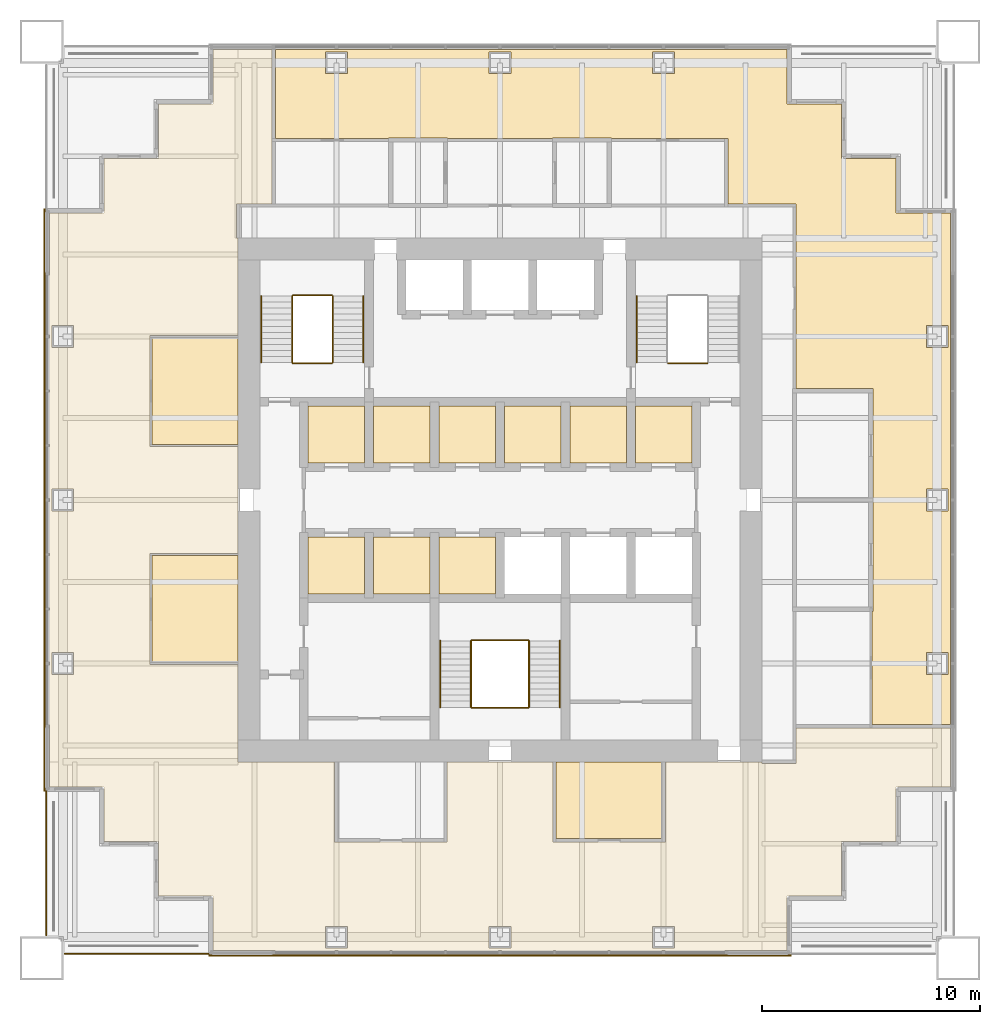
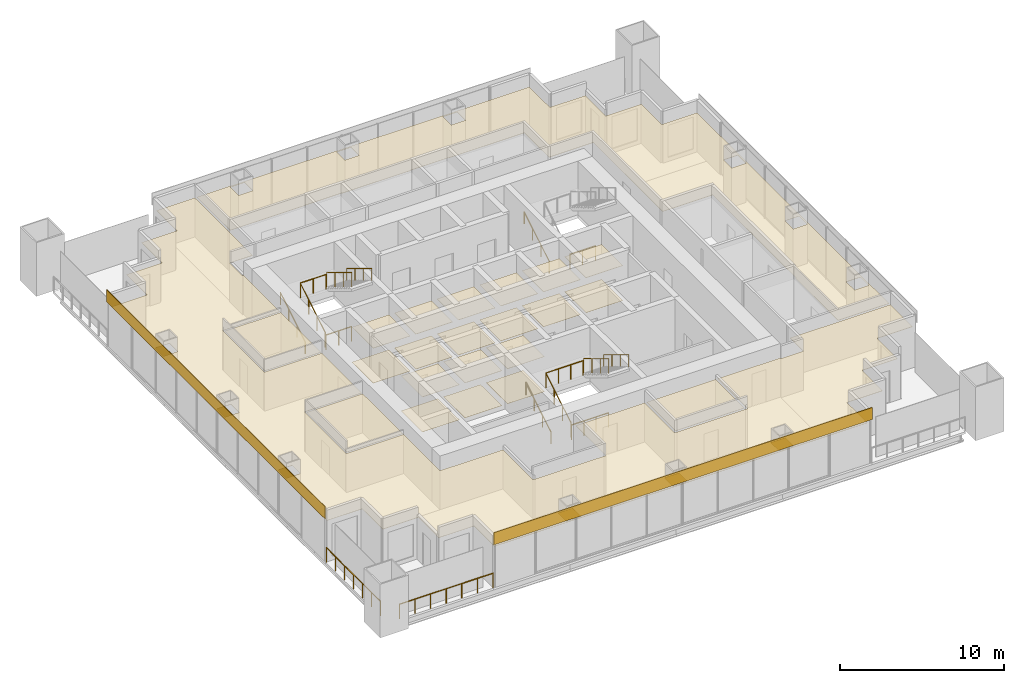
# One storey, part 13 of 14: 25 coverings, 16 railings.
"""IFC4 building model written with IfcOpenShell, lengths in metres."""

from ifc_helpers import new_model, si_unit, direction, frame, origin, origin_2d, place, context, subcontext, project, spatial, polyline, rectangle, circle, outline, extrude, material, layer, layer_set, type_object, element, save


model = new_model("IFC4")

# Units and contexts
model_context = context("Model", 3, precision=1e-05, world=origin(), true_north=direction((0.0, 1.0)))
body_context = subcontext(model_context, "Body", "Model", "MODEL_VIEW")
ifc_project = project(units=[si_unit("LENGTHUNIT", "METRE"), si_unit("AREAUNIT", "SQUARE_METRE"), si_unit("VOLUMEUNIT", "CUBIC_METRE"), si_unit("PLANEANGLEUNIT", "RADIAN"), si_unit("MASSUNIT", "GRAM", prefix="KILO")], contexts=[model_context])

# Site, building, storey
site_placement = place(None, origin())
site = spatial("IfcSite", under=ifc_project, at=site_placement, CompositionType="ELEMENT")
building_placement = place(site_placement, origin())
building = spatial("IfcBuilding", under=site, at=building_placement, Name="Tarangal Relay Tower", CompositionType="ELEMENT")
storey_placement = place(building_placement, frame((0.0, 0.0, 327.89990234375)))
storey = spatial("IfcBuildingStorey", under=building, at=storey_placement, Name="L73", CompositionType="ELEMENT", Elevation=327.89990234375)

# Coverings
ifc_material_1 = material(Name="Anti-static vinyl flooring", Category="plastic")
ifc_layer_1 = layer(ifc_material_1, 0.010009765625)
ifc_layer_set_1 = layer_set([ifc_layer_1], Name="Anti-static vinyl floor")
covering_type_1 = type_object("IfcCoveringType", Name="Anti-static vinyl floor", PredefinedType="FLOORING", material=ifc_layer_set_1)
covering_1_placement = place(storey_placement, origin())
element("IfcCovering", 1, at=covering_1_placement, inside=storey, type_object=covering_type_1, Name="Floor finish FL1 L73-D1", PredefinedType="FLOORING", context=body_context, shape_type="SweptSolid", body=[
    extrude(outline(polyline([(-8.800048828125, 1.699951171875), (-6.199951171875, 1.699951171875), (-6.199951171875, 4.300048828125), (-8.800048828125, 4.300048828125), (-8.800048828125, 1.699951171875)])), origin(), (0.0, 0.0, 1.0), 0.010009765625),
])
covering_2_placement = place(storey_placement, origin())
element("IfcCovering", 2, at=covering_2_placement, inside=storey, type_object=covering_type_1, Name="Floor finish FL1 L73-D2", PredefinedType="FLOORING", context=body_context, shape_type="SweptSolid", body=[
    extrude(outline(polyline([(-5.800048828125, 1.699951171875), (-3.199951171875, 1.699951171875), (-3.199951171875, 4.300048828125), (-5.800048828125, 4.300048828125), (-5.800048828125, 1.699951171875)])), origin(), (0.0, 0.0, 1.0), 0.010009765625),
])
covering_3_placement = place(storey_placement, origin())
element("IfcCovering", 3, at=covering_3_placement, inside=storey, type_object=covering_type_1, Name="Floor finish FL1 L73-D3", PredefinedType="FLOORING", context=body_context, shape_type="SweptSolid", body=[
    extrude(outline(polyline([(-2.800048828125, 1.699951171875), (-0.199951171875, 1.699951171875), (-0.199951171875, 4.300048828125), (-2.800048828125, 4.300048828125), (-2.800048828125, 1.699951171875)])), origin(), (0.0, 0.0, 1.0), 0.010009765625),
])
covering_4_placement = place(storey_placement, origin())
element("IfcCovering", 4, at=covering_4_placement, inside=storey, type_object=covering_type_1, Name="Floor finish FL1 L73-T1", PredefinedType="FLOORING", context=body_context, shape_type="SweptSolid", body=[
    extrude(outline(polyline([(0.199951171875, 1.699951171875), (2.800048828125, 1.699951171875), (2.800048828125, 4.300048828125), (0.199951171875, 4.300048828125), (0.199951171875, 1.699951171875)])), origin(), (0.0, 0.0, 1.0), 0.010009765625),
])
covering_5_placement = place(storey_placement, origin())
element("IfcCovering", 5, at=covering_5_placement, inside=storey, type_object=covering_type_1, Name="Floor finish FL1 L73-T2", PredefinedType="FLOORING", context=body_context, shape_type="SweptSolid", body=[
    extrude(outline(polyline([(3.199951171875, 1.699951171875), (5.800048828125, 1.699951171875), (5.800048828125, 4.300048828125), (3.199951171875, 4.300048828125), (3.199951171875, 1.699951171875)])), origin(), (0.0, 0.0, 1.0), 0.010009765625),
])
covering_6_placement = place(storey_placement, origin())
element("IfcCovering", 6, at=covering_6_placement, inside=storey, type_object=covering_type_1, Name="Floor finish FL1 L73-T3", PredefinedType="FLOORING", context=body_context, shape_type="SweptSolid", body=[
    extrude(outline(polyline([(6.199951171875, 1.699951171875), (8.800048828125, 1.699951171875), (8.800048828125, 4.300048828125), (6.199951171875, 4.300048828125), (6.199951171875, 1.699951171875)])), origin(), (0.0, 0.0, 1.0), 0.010009765625),
])
covering_7_placement = place(storey_placement, origin())
element("IfcCovering", 7, at=covering_7_placement, inside=storey, type_object=covering_type_1, Name="Floor finish FL1 L73-S1", PredefinedType="FLOORING", context=body_context, shape_type="SweptSolid", body=[
    extrude(outline(polyline([(-8.800048828125, -4.300048828125), (-6.199951171875, -4.300048828125), (-6.199951171875, -1.699951171875), (-8.800048828125, -1.699951171875), (-8.800048828125, -4.300048828125)])), origin(), (0.0, 0.0, 1.0), 0.010009765625),
])
covering_8_placement = place(storey_placement, origin())
element("IfcCovering", 8, at=covering_8_placement, inside=storey, type_object=covering_type_1, Name="Floor finish FL1 L73-S2", PredefinedType="FLOORING", context=body_context, shape_type="SweptSolid", body=[
    extrude(outline(polyline([(-5.800048828125, -4.300048828125), (-3.199951171875, -4.300048828125), (-3.199951171875, -1.699951171875), (-5.800048828125, -1.699951171875), (-5.800048828125, -4.300048828125)])), origin(), (0.0, 0.0, 1.0), 0.010009765625),
])
covering_9_placement = place(storey_placement, origin())
element("IfcCovering", 9, at=covering_9_placement, inside=storey, type_object=covering_type_1, Name="Floor finish FL1 L73-S3", PredefinedType="FLOORING", context=body_context, shape_type="SweptSolid", body=[
    extrude(outline(polyline([(-2.800048828125, -4.300048828125), (-0.199951171875, -4.300048828125), (-0.199951171875, -1.699951171875), (-2.800048828125, -1.699951171875), (-2.800048828125, -4.300048828125)])), origin(), (0.0, 0.0, 1.0), 0.010009765625),
])
ifc_material_2 = material(Name="Black anodised aluminium cladding", Category="aluminium")
ifc_layer_2 = layer(ifc_material_2, 0.050048828125)
ifc_layer_set_2 = layer_set([ifc_layer_2], Name="Black metal spandrel band")
covering_type_2 = type_object("IfcCoveringType", Name="Black metal spandrel band", PredefinedType="CLADDING", material=ifc_layer_set_2)
for number, where, z_axis, x_axis, name in (
    (10, (0.0, -20.875, 3.250244140625), (0.0, 0.0, 1.0), (-1.0, 0.0, 0.0), "Spandrel band SB1 S L73"),
    (11, (-20.875, 0.0, 3.250244140625), (0.0, 0.0, 1.0), (0.0, 1.0, 0.0), "Spandrel band SB1 W L73"),
):
    element("IfcCovering", number, at=place(storey_placement, frame(where, z_axis=z_axis, x_axis=x_axis)), inside=storey, type_object=covering_type_2, Name=name, PredefinedType="CLADDING", context=body_context, shape_type="SweptSolid", body=[
        extrude(rectangle(XDim=26.699951171875, YDim=0.050048828125, at=origin_2d()), origin(), (0.0, 0.0, 1.0), 0.89990234375),
    ])

# Railings
ifc_material_3 = material(Name="Steel guard, black finish", Category="steel")
railing_type_1 = type_object("IfcRailingType", Name="Stair guard 1100", PredefinedType="GUARDRAIL", material=ifc_material_3)
railing_1_placement = place(storey_placement, frame((-9.530029296875, 6.300048828125, 0.166748046875)))
element("IfcRailing", 12, at=railing_1_placement, inside=storey, type_object=railing_type_1, Name="Stair ST-A guard GR1 L73 flight 1", PredefinedType="GUARDRAIL", context=body_context, shape_type="SweptSolid", body=[
    extrude(circle(Radius=0.02392578125, at=origin_2d()), frame((0.0, 0.0, 1.076171875), z_axis=(0.0, 0.85685617095, 0.515555527858), x_axis=(-1.0, 0.0, 0.0)), (0.0, 0.0, 1.0), 3.555908203125),
    extrude(circle(Radius=0.02099609375, at=origin_2d()), origin(), (0.0, 0.0, 1.0), 1.052001953125),
    extrude(circle(Radius=0.02099609375, at=origin_2d()), frame((0.0, 1.015625, 0.611083984375)), (0.0, 0.0, 1.0), 1.052001953125),
    extrude(circle(Radius=0.02099609375, at=origin_2d()), frame((0.0, 2.03125, 1.22216796875)), (0.0, 0.0, 1.0), 1.052001953125),
    extrude(circle(Radius=0.02099609375, at=origin_2d()), frame((0.0, 3.046875, 1.833251953125)), (0.0, 0.0, 1.0), 1.052001953125),
])
railing_2_placement = place(storey_placement, frame((-7.669921875, 9.346923828125, 2.166748046875)))
element("IfcRailing", 13, at=railing_2_placement, inside=storey, type_object=railing_type_1, Name="Stair ST-A guard GR1 L73 flight 2", PredefinedType="GUARDRAIL", context=body_context, shape_type="SweptSolid", body=[
    extrude(circle(Radius=0.02392578125, at=origin_2d()), frame((0.0, 0.0, 1.076171875), z_axis=(0.0, -0.85685617095, 0.515555527858), x_axis=(1.0, 0.0, 0.0)), (0.0, 0.0, 1.0), 3.555908203125),
    extrude(circle(Radius=0.02099609375, at=origin_2d()), origin(), (0.0, 0.0, 1.0), 1.052001953125),
    extrude(circle(Radius=0.02099609375, at=origin_2d()), frame((0.0, -1.015625, 0.611083984375)), (0.0, 0.0, 1.0), 1.052001953125),
    extrude(circle(Radius=0.02099609375, at=origin_2d()), frame((0.0, -2.03125, 1.22216796875)), (0.0, 0.0, 1.0), 1.052001953125),
    extrude(circle(Radius=0.02099609375, at=origin_2d()), frame((0.0, -3.046875, 1.833251953125)), (0.0, 0.0, 1.0), 1.052001953125),
])
for number, where, name in (
    (14, (-9.5, 6.27001953125, 0.0), "Stair ST-A landing guard GR1 L73"),
    (15, (-9.5, 9.376953125, 2.0), "Stair ST-A landing guard GR1 L73"),
    (16, (7.699951171875, 6.27001953125, 0.0), "Stair ST-B landing guard GR1 L73"),
):
    element("IfcRailing", number, at=place(storey_placement, frame(where)), inside=storey, type_object=railing_type_1, Name=name, PredefinedType="GUARDRAIL", context=body_context, shape_type="SweptSolid", body=[
        extrude(circle(Radius=0.02392578125, at=origin_2d()), frame((0.0, 0.0, 1.076171875), z_axis=(1.0, 0.0, 0.0), x_axis=(0.0, 1.0, 0.0)), (0.0, 0.0, 1.0), 1.800048828125),
        extrude(circle(Radius=0.02099609375, at=origin_2d()), origin(), (0.0, 0.0, 1.0), 1.052001953125),
        extrude(circle(Radius=0.02099609375, at=origin_2d()), frame((0.89990234375, 0.0, 0.0)), (0.0, 0.0, 1.0), 1.052001953125),
        extrude(circle(Radius=0.02099609375, at=origin_2d()), frame((1.800048828125, 0.0, 0.0)), (0.0, 0.0, 1.0), 1.052001953125),
    ])
railing_3_placement = place(storey_placement, frame((-1.330078125, -9.5, 0.166748046875)))
element("IfcRailing", 17, at=railing_3_placement, inside=storey, type_object=railing_type_1, Name="Stair ST-C guard GR1 L73 flight 1", PredefinedType="GUARDRAIL", context=body_context, shape_type="SweptSolid", body=[
    extrude(circle(Radius=0.02392578125, at=origin_2d()), frame((0.0, 0.0, 1.076171875), z_axis=(0.0, 0.856874418557, 0.515525199018), x_axis=(-1.0, 0.0, 0.0)), (0.0, 0.0, 1.0), 3.55615234375),
    extrude(circle(Radius=0.02099609375, at=origin_2d()), origin(), (0.0, 0.0, 1.0), 1.052001953125),
    extrude(circle(Radius=0.02099609375, at=origin_2d()), frame((0.0, 1.015625, 0.611083984375)), (0.0, 0.0, 1.0), 1.052001953125),
    extrude(circle(Radius=0.02099609375, at=origin_2d()), frame((0.0, 2.031494140625, 1.22216796875)), (0.0, 0.0, 1.0), 1.052001953125),
    extrude(circle(Radius=0.02099609375, at=origin_2d()), frame((0.0, 3.047119140625, 1.833251953125)), (0.0, 0.0, 1.0), 1.052001953125),
])
railing_4_placement = place(storey_placement, frame((1.330078125, -6.452880859375, 2.166748046875)))
element("IfcRailing", 18, at=railing_4_placement, inside=storey, type_object=railing_type_1, Name="Stair ST-C guard GR1 L73 flight 2", PredefinedType="GUARDRAIL", context=body_context, shape_type="SweptSolid", body=[
    extrude(circle(Radius=0.02392578125, at=origin_2d()), frame((0.0, 0.0, 1.076171875), z_axis=(0.0, -0.856874418557, 0.515525199018), x_axis=(1.0, 0.0, 0.0)), (0.0, 0.0, 1.0), 3.55615234375),
    extrude(circle(Radius=0.02099609375, at=origin_2d()), origin(), (0.0, 0.0, 1.0), 1.052001953125),
    extrude(circle(Radius=0.02099609375, at=origin_2d()), frame((0.0, -1.015625, 0.611083984375)), (0.0, 0.0, 1.0), 1.052001953125),
    extrude(circle(Radius=0.02099609375, at=origin_2d()), frame((0.0, -2.031494140625, 1.22216796875)), (0.0, 0.0, 1.0), 1.052001953125),
    extrude(circle(Radius=0.02099609375, at=origin_2d()), frame((0.0, -3.047119140625, 1.833251953125)), (0.0, 0.0, 1.0), 1.052001953125),
])
for number, where, name in (
    (19, (-1.300048828125, -9.530029296875, 0.0), "Stair ST-C landing guard GR1 L73"),
    (20, (-1.300048828125, -6.423095703125, 2.0), "Stair ST-C landing guard GR1 L73"),
):
    element("IfcRailing", number, at=place(storey_placement, frame(where)), inside=storey, type_object=railing_type_1, Name=name, PredefinedType="GUARDRAIL", context=body_context, shape_type="SweptSolid", body=[
        extrude(circle(Radius=0.02392578125, at=origin_2d()), frame((0.0, 0.0, 1.076171875), z_axis=(1.0, 0.0, 0.0), x_axis=(0.0, 1.0, 0.0)), (0.0, 0.0, 1.0), 2.60009765625),
        extrude(circle(Radius=0.02099609375, at=origin_2d()), origin(), (0.0, 0.0, 1.0), 1.052001953125),
        extrude(circle(Radius=0.02099609375, at=origin_2d()), frame((0.86669921875, 0.0, 0.0)), (0.0, 0.0, 1.0), 1.052001953125),
        extrude(circle(Radius=0.02099609375, at=origin_2d()), frame((1.7333984375, 0.0, 0.0)), (0.0, 0.0, 1.0), 1.052001953125),
        extrude(circle(Radius=0.02099609375, at=origin_2d()), frame((2.60009765625, 0.0, 0.0)), (0.0, 0.0, 1.0), 1.052001953125),
    ])
ifc_material_4 = material(Name="Steel handrail, black finish", Category="steel")
railing_type_2 = type_object("IfcRailingType", Name="Stair handrail 900", PredefinedType="HANDRAIL", material=ifc_material_4)
railing_5_placement = place(storey_placement, frame((-10.93994140625, 6.300048828125, 0.166748046875)))
element("IfcRailing", 21, at=railing_5_placement, inside=storey, type_object=railing_type_2, Name="Stair ST-A handrail HR1 L73 flight 1", PredefinedType="HANDRAIL", context=body_context, shape_type="SweptSolid", body=[
    extrude(circle(Radius=0.02392578125, at=origin_2d()), frame((0.0, 0.0, 0.8759765625), z_axis=(0.0, 0.85685617095, 0.515555527858), x_axis=(-1.0, 0.0, 0.0)), (0.0, 0.0, 1.0), 3.555908203125),
    extrude(circle(Radius=0.02099609375, at=origin_2d()), origin(), (0.0, 0.0, 1.0), 0.851806640625),
    extrude(circle(Radius=0.02099609375, at=origin_2d()), frame((0.0, 1.015625, 0.611083984375)), (0.0, 0.0, 1.0), 0.851806640625),
    extrude(circle(Radius=0.02099609375, at=origin_2d()), frame((0.0, 2.03125, 1.22216796875)), (0.0, 0.0, 1.0), 0.851806640625),
    extrude(circle(Radius=0.02099609375, at=origin_2d()), frame((0.0, 3.046875, 1.833251953125)), (0.0, 0.0, 1.0), 0.851806640625),
])
railing_6_placement = place(storey_placement, frame((-6.260009765625, 9.346923828125, 2.166748046875)))
element("IfcRailing", 22, at=railing_6_placement, inside=storey, type_object=railing_type_2, Name="Stair ST-A handrail HR1 L73 flight 2", PredefinedType="HANDRAIL", context=body_context, shape_type="SweptSolid", body=[
    extrude(circle(Radius=0.02392578125, at=origin_2d()), frame((0.0, 0.0, 0.8759765625), z_axis=(0.0, -0.85685617095, 0.515555527858), x_axis=(1.0, 0.0, 0.0)), (0.0, 0.0, 1.0), 3.555908203125),
    extrude(circle(Radius=0.02099609375, at=origin_2d()), origin(), (0.0, 0.0, 1.0), 0.851806640625),
    extrude(circle(Radius=0.02099609375, at=origin_2d()), frame((0.0, -1.015625, 0.611083984375)), (0.0, 0.0, 1.0), 0.851806640625),
    extrude(circle(Radius=0.02099609375, at=origin_2d()), frame((0.0, -2.03125, 1.22216796875)), (0.0, 0.0, 1.0), 0.851806640625),
    extrude(circle(Radius=0.02099609375, at=origin_2d()), frame((0.0, -3.046875, 1.833251953125)), (0.0, 0.0, 1.0), 0.851806640625),
])
railing_7_placement = place(storey_placement, frame((6.260009765625, 6.300048828125, 0.166748046875)))
element("IfcRailing", 23, at=railing_7_placement, inside=storey, type_object=railing_type_2, Name="Stair ST-B handrail HR1 L73 flight 1", PredefinedType="HANDRAIL", context=body_context, shape_type="SweptSolid", body=[
    extrude(circle(Radius=0.02392578125, at=origin_2d()), frame((0.0, 0.0, 0.8759765625), z_axis=(0.0, 0.85685617095, 0.515555527858), x_axis=(-1.0, 0.0, 0.0)), (0.0, 0.0, 1.0), 3.555908203125),
    extrude(circle(Radius=0.02099609375, at=origin_2d()), origin(), (0.0, 0.0, 1.0), 0.851806640625),
    extrude(circle(Radius=0.02099609375, at=origin_2d()), frame((0.0, 1.015625, 0.611083984375)), (0.0, 0.0, 1.0), 0.851806640625),
    extrude(circle(Radius=0.02099609375, at=origin_2d()), frame((0.0, 2.03125, 1.22216796875)), (0.0, 0.0, 1.0), 0.851806640625),
    extrude(circle(Radius=0.02099609375, at=origin_2d()), frame((0.0, 3.046875, 1.833251953125)), (0.0, 0.0, 1.0), 0.851806640625),
])
railing_8_placement = place(storey_placement, frame((-2.739990234375, -9.5, 0.166748046875)))
element("IfcRailing", 24, at=railing_8_placement, inside=storey, type_object=railing_type_2, Name="Stair ST-C handrail HR1 L73 flight 1", PredefinedType="HANDRAIL", context=body_context, shape_type="SweptSolid", body=[
    extrude(circle(Radius=0.02392578125, at=origin_2d()), frame((0.0, 0.0, 0.8759765625), z_axis=(0.0, 0.856874418557, 0.515525199018), x_axis=(-1.0, 0.0, 0.0)), (0.0, 0.0, 1.0), 3.55615234375),
    extrude(circle(Radius=0.02099609375, at=origin_2d()), origin(), (0.0, 0.0, 1.0), 0.851806640625),
    extrude(circle(Radius=0.02099609375, at=origin_2d()), frame((0.0, 1.015625, 0.611083984375)), (0.0, 0.0, 1.0), 0.851806640625),
    extrude(circle(Radius=0.02099609375, at=origin_2d()), frame((0.0, 2.031494140625, 1.22216796875)), (0.0, 0.0, 1.0), 0.851806640625),
    extrude(circle(Radius=0.02099609375, at=origin_2d()), frame((0.0, 3.047119140625, 1.833251953125)), (0.0, 0.0, 1.0), 0.851806640625),
])
railing_9_placement = place(storey_placement, frame((2.739990234375, -6.452880859375, 2.166748046875)))
element("IfcRailing", 25, at=railing_9_placement, inside=storey, type_object=railing_type_2, Name="Stair ST-C handrail HR1 L73 flight 2", PredefinedType="HANDRAIL", context=body_context, shape_type="SweptSolid", body=[
    extrude(circle(Radius=0.02392578125, at=origin_2d()), frame((0.0, 0.0, 0.8759765625), z_axis=(0.0, -0.856874418557, 0.515525199018), x_axis=(1.0, 0.0, 0.0)), (0.0, 0.0, 1.0), 3.55615234375),
    extrude(circle(Radius=0.02099609375, at=origin_2d()), origin(), (0.0, 0.0, 1.0), 0.851806640625),
    extrude(circle(Radius=0.02099609375, at=origin_2d()), frame((0.0, -1.015625, 0.611083984375)), (0.0, 0.0, 1.0), 0.851806640625),
    extrude(circle(Radius=0.02099609375, at=origin_2d()), frame((0.0, -2.031494140625, 1.22216796875)), (0.0, 0.0, 1.0), 0.851806640625),
    extrude(circle(Radius=0.02099609375, at=origin_2d()), frame((0.0, -3.047119140625, 1.833251953125)), (0.0, 0.0, 1.0), 0.851806640625),
])

# Coverings
ifc_material_5 = material(Name="Mineral fibre ceiling tiles", Category="gypsum")
ifc_layer_3 = layer(ifc_material_5, 0.02001953125)
ifc_layer_set_3 = layer_set([ifc_layer_3], Name="Suspended ceiling")
covering_type_3 = type_object("IfcCoveringType", Name="Suspended ceiling", PredefinedType="CEILING", material=ifc_layer_set_3)
covering_10_placement = place(storey_placement, frame((0.0, 0.0, 2.60009765625)))
element("IfcCovering", 26, at=covering_10_placement, inside=storey, type_object=covering_type_3, Name="Suspended ceiling CL1 L73-D1", PredefinedType="CEILING", context=body_context, shape_type="SweptSolid", body=[
    extrude(outline(polyline([(-8.800048828125, 1.699951171875), (-6.199951171875, 1.699951171875), (-6.199951171875, 4.300048828125), (-8.800048828125, 4.300048828125), (-8.800048828125, 1.699951171875)])), origin(), (0.0, 0.0, 1.0), 0.02001953125),
])
covering_11_placement = place(storey_placement, frame((0.0, 0.0, 2.60009765625)))
element("IfcCovering", 27, at=covering_11_placement, inside=storey, type_object=covering_type_3, Name="Suspended ceiling CL1 L73-D2", PredefinedType="CEILING", context=body_context, shape_type="SweptSolid", body=[
    extrude(outline(polyline([(-5.800048828125, 1.699951171875), (-3.199951171875, 1.699951171875), (-3.199951171875, 4.300048828125), (-5.800048828125, 4.300048828125), (-5.800048828125, 1.699951171875)])), origin(), (0.0, 0.0, 1.0), 0.02001953125),
])
covering_12_placement = place(storey_placement, frame((0.0, 0.0, 2.60009765625)))
element("IfcCovering", 28, at=covering_12_placement, inside=storey, type_object=covering_type_3, Name="Suspended ceiling CL1 L73-D3", PredefinedType="CEILING", context=body_context, shape_type="SweptSolid", body=[
    extrude(outline(polyline([(-2.800048828125, 1.699951171875), (-0.199951171875, 1.699951171875), (-0.199951171875, 4.300048828125), (-2.800048828125, 4.300048828125), (-2.800048828125, 1.699951171875)])), origin(), (0.0, 0.0, 1.0), 0.02001953125),
])
covering_13_placement = place(storey_placement, frame((0.0, 0.0, 2.60009765625)))
element("IfcCovering", 29, at=covering_13_placement, inside=storey, type_object=covering_type_3, Name="Suspended ceiling CL1 L73-T1", PredefinedType="CEILING", context=body_context, shape_type="SweptSolid", body=[
    extrude(outline(polyline([(0.199951171875, 1.699951171875), (2.800048828125, 1.699951171875), (2.800048828125, 4.300048828125), (0.199951171875, 4.300048828125), (0.199951171875, 1.699951171875)])), origin(), (0.0, 0.0, 1.0), 0.02001953125),
])
covering_14_placement = place(storey_placement, frame((0.0, 0.0, 2.60009765625)))
element("IfcCovering", 30, at=covering_14_placement, inside=storey, type_object=covering_type_3, Name="Suspended ceiling CL1 L73-T2", PredefinedType="CEILING", context=body_context, shape_type="SweptSolid", body=[
    extrude(outline(polyline([(3.199951171875, 1.699951171875), (5.800048828125, 1.699951171875), (5.800048828125, 4.300048828125), (3.199951171875, 4.300048828125), (3.199951171875, 1.699951171875)])), origin(), (0.0, 0.0, 1.0), 0.02001953125),
])
covering_15_placement = place(storey_placement, frame((0.0, 0.0, 2.60009765625)))
element("IfcCovering", 31, at=covering_15_placement, inside=storey, type_object=covering_type_3, Name="Suspended ceiling CL1 L73-T3", PredefinedType="CEILING", context=body_context, shape_type="SweptSolid", body=[
    extrude(outline(polyline([(6.199951171875, 1.699951171875), (8.800048828125, 1.699951171875), (8.800048828125, 4.300048828125), (6.199951171875, 4.300048828125), (6.199951171875, 1.699951171875)])), origin(), (0.0, 0.0, 1.0), 0.02001953125),
])
covering_16_placement = place(storey_placement, frame((0.0, 0.0, 2.60009765625)))
element("IfcCovering", 32, at=covering_16_placement, inside=storey, type_object=covering_type_3, Name="Suspended ceiling CL1 L73-S1", PredefinedType="CEILING", context=body_context, shape_type="SweptSolid", body=[
    extrude(outline(polyline([(-8.800048828125, -4.300048828125), (-6.199951171875, -4.300048828125), (-6.199951171875, -1.699951171875), (-8.800048828125, -1.699951171875), (-8.800048828125, -4.300048828125)])), origin(), (0.0, 0.0, 1.0), 0.02001953125),
])
covering_17_placement = place(storey_placement, frame((0.0, 0.0, 2.60009765625)))
element("IfcCovering", 33, at=covering_17_placement, inside=storey, type_object=covering_type_3, Name="Suspended ceiling CL1 L73-S2", PredefinedType="CEILING", context=body_context, shape_type="SweptSolid", body=[
    extrude(outline(polyline([(-5.800048828125, -4.300048828125), (-3.199951171875, -4.300048828125), (-3.199951171875, -1.699951171875), (-5.800048828125, -1.699951171875), (-5.800048828125, -4.300048828125)])), origin(), (0.0, 0.0, 1.0), 0.02001953125),
])
covering_18_placement = place(storey_placement, frame((0.0, 0.0, 2.60009765625)))
element("IfcCovering", 34, at=covering_18_placement, inside=storey, type_object=covering_type_3, Name="Suspended ceiling CL1 L73-S3", PredefinedType="CEILING", context=body_context, shape_type="SweptSolid", body=[
    extrude(outline(polyline([(-2.800048828125, -4.300048828125), (-0.199951171875, -4.300048828125), (-0.199951171875, -1.699951171875), (-2.800048828125, -1.699951171875), (-2.800048828125, -4.300048828125)])), origin(), (0.0, 0.0, 1.0), 0.02001953125),
])
covering_19_placement = place(storey_placement, frame((0.0, 0.0, 2.900146484375)))
element("IfcCovering", 35, at=covering_19_placement, inside=storey, type_object=covering_type_3, Name="Suspended ceiling CL1 L73-10", PredefinedType="CEILING", context=body_context, shape_type="SweptSolid", body=[
    extrude(outline(polyline([(2.574951171875, -12.0), (2.574951171875, -15.52490234375), (7.425048828125, -15.52490234375), (7.425048828125, -12.0), (2.574951171875, -12.0)])), origin(), (0.0, 0.0, 1.0), 0.02001953125),
])
covering_20_placement = place(storey_placement, frame((0.0, 0.0, 2.900146484375)))
element("IfcCovering", 36, at=covering_20_placement, inside=storey, type_object=covering_type_3, Name="Suspended ceiling CL1 L73-12", PredefinedType="CEILING", context=body_context, shape_type="SweptSolid", body=[
    extrude(outline(polyline([(-12.0, -2.550048828125), (-15.949951171875, -2.550048828125), (-15.949951171875, -7.449951171875), (-12.0, -7.449951171875), (-12.0, -2.550048828125)])), origin(), (0.0, 0.0, 1.0), 0.02001953125),
])
covering_21_placement = place(storey_placement, frame((0.0, 0.0, 2.900146484375)))
element("IfcCovering", 37, at=covering_21_placement, inside=storey, type_object=covering_type_3, Name="Suspended ceiling CL1 L73-13", PredefinedType="CEILING", context=body_context, shape_type="SweptSolid", body=[
    extrude(outline(polyline([(-12.0, 7.449951171875), (-15.949951171875, 7.449951171875), (-15.949951171875, 2.550048828125), (-12.0, 2.550048828125), (-12.0, 7.449951171875)])), origin(), (0.0, 0.0, 1.0), 0.02001953125),
])
covering_22_placement = place(storey_placement, frame((0.0, 0.0, 2.900146484375)))
element("IfcCovering", 38, at=covering_22_placement, inside=storey, type_object=covering_type_3, Name="Suspended ceiling CL1 L73-14", PredefinedType="CEILING", context=body_context, shape_type="SweptSolid", body=[
    extrude(outline(polyline([(13.14990234375, 20.64990234375), (-10.300048828125, 20.64990234375), (-10.300048828125, 16.574951171875), (-5.10009765625, 16.574951171875), (-5.10009765625, 16.60009765625), (-2.39990234375, 16.60009765625), (-2.39990234375, 16.574951171875), (2.39990234375, 16.574951171875), (2.39990234375, 16.60009765625), (5.10009765625, 16.60009765625), (5.10009765625, 16.574951171875), (10.449951171875, 16.574951171875), (10.449951171875, 13.574951171875), (13.574951171875, 13.574951171875), (13.574951171875, 5.10009765625), (17.10009765625, 5.10009765625), (17.10009765625, -5.10009765625), (17.050048828125, -5.10009765625), (17.050048828125, -10.300048828125), (20.64990234375, -10.300048828125), (20.64990234375, 13.14990234375), (18.14990234375, 13.14990234375), (18.14990234375, 15.64990234375), (15.64990234375, 15.64990234375), (15.64990234375, 18.14990234375), (13.14990234375, 18.14990234375), (13.14990234375, 20.64990234375)]), holes=[polyline([(19.5400390625, -8.0), (20.5400390625, -8.0), (20.5400390625, -7.0), (19.5400390625, -7.0), (19.5400390625, -8.0)]), polyline([(19.5400390625, 0.5), (19.5400390625, -0.5), (20.5400390625, -0.5), (20.5400390625, 0.5), (19.5400390625, 0.5)]), polyline([(19.5400390625, 8.0), (19.5400390625, 7.0), (20.5400390625, 7.0), (20.5400390625, 8.0), (19.5400390625, 8.0)]), polyline([(-8.0, 19.5400390625), (-7.0, 19.5400390625), (-7.0, 20.5400390625), (-8.0, 20.5400390625), (-8.0, 19.5400390625)]), polyline([(-0.5, 20.5400390625), (-0.5, 19.5400390625), (0.5, 19.5400390625), (0.5, 20.5400390625), (-0.5, 20.5400390625)]), polyline([(7.0, 20.5400390625), (7.0, 19.5400390625), (8.0, 19.5400390625), (8.0, 20.5400390625), (7.0, 20.5400390625)])]), origin(), (0.0, 0.0, 1.0), 0.02001953125),
])
covering_23_placement = place(storey_placement, frame((0.0, 0.0, 2.900146484375)))
element("IfcCovering", 39, at=covering_23_placement, inside=storey, type_object=covering_type_3, Name="Suspended ceiling CL1 L73-15", PredefinedType="CEILING", context=body_context, shape_type="SweptSolid", body=[
    extrude(outline(polyline([(-12.0, 2.449951171875), (-16.050048828125, 2.449951171875), (-16.050048828125, 7.550048828125), (-12.0, 7.550048828125), (-12.0, 12.0), (-12.074951171875, 12.0), (-12.074951171875, 13.574951171875), (-10.449951171875, 13.574951171875), (-10.449951171875, 20.64990234375), (-13.14990234375, 20.64990234375), (-13.14990234375, 18.14990234375), (-15.64990234375, 18.14990234375), (-15.64990234375, 15.64990234375), (-18.14990234375, 15.64990234375), (-18.14990234375, 13.14990234375), (-20.64990234375, 13.14990234375), (-20.64990234375, -13.14990234375), (-18.14990234375, -13.14990234375), (-18.14990234375, -15.64990234375), (-15.64990234375, -15.64990234375), (-15.64990234375, -18.14990234375), (-13.14990234375, -18.14990234375), (-13.14990234375, -20.64990234375), (13.14990234375, -20.64990234375), (13.14990234375, -18.14990234375), (15.64990234375, -18.14990234375), (15.64990234375, -15.64990234375), (18.14990234375, -15.64990234375), (18.14990234375, -13.14990234375), (20.64990234375, -13.14990234375), (20.64990234375, -10.449951171875), (13.574951171875, -10.449951171875), (13.574951171875, -12.074951171875), (12.0, -12.074951171875), (12.0, -12.0), (7.574951171875, -12.0), (7.574951171875, -15.675048828125), (2.425048828125, -15.675048828125), (2.425048828125, -12.0), (-2.425048828125, -12.0), (-2.425048828125, -15.675048828125), (-7.574951171875, -15.675048828125), (-7.574951171875, -12.0), (-12.0, -12.0), (-12.0, -7.550048828125), (-16.050048828125, -7.550048828125), (-16.050048828125, -2.449951171875), (-12.0, -2.449951171875), (-12.0, 2.449951171875)]), holes=[polyline([(-8.0, -20.5400390625), (-7.0, -20.5400390625), (-7.0, -19.5400390625), (-8.0, -19.5400390625), (-8.0, -20.5400390625)]), polyline([(-0.5, -19.5400390625), (-0.5, -20.5400390625), (0.5, -20.5400390625), (0.5, -19.5400390625), (-0.5, -19.5400390625)]), polyline([(7.0, -19.5400390625), (7.0, -20.5400390625), (8.0, -20.5400390625), (8.0, -19.5400390625), (7.0, -19.5400390625)]), polyline([(-20.5400390625, -8.0), (-19.5400390625, -8.0), (-19.5400390625, -7.0), (-20.5400390625, -7.0), (-20.5400390625, -8.0)]), polyline([(-20.5400390625, 0.5), (-20.5400390625, -0.5), (-19.5400390625, -0.5), (-19.5400390625, 0.5), (-20.5400390625, 0.5)]), polyline([(-20.5400390625, 8.0), (-20.5400390625, 7.0), (-19.5400390625, 7.0), (-19.5400390625, 8.0), (-20.5400390625, 8.0)])]), origin(), (0.0, 0.0, 1.0), 0.02001953125),
])

# Railings
ifc_material_6 = material(Name="Black steel guard with glass infill", Category="steel")
railing_type_3 = type_object("IfcRailingType", Name="Terrace guard 1100", PredefinedType="GUARDRAIL", material=ifc_material_6)
railing_10_placement = place(storey_placement, frame((-13.35009765625, -20.800048828125, 0.0)))
element("IfcRailing", 40, at=railing_10_placement, inside=storey, type_object=railing_type_3, Name="Terrace guard GR2 SW L73", PredefinedType="GUARDRAIL", context=body_context, shape_type="SweptSolid", body=[
    extrude(circle(Radius=0.02392578125, at=origin_2d()), frame((0.0, 0.0, 1.076171875), z_axis=(-1.0, 0.0, 0.0), x_axis=(0.0, -1.0, 0.0)), (0.0, 0.0, 1.0), 6.599853515625),
    extrude(circle(Radius=0.02099609375, at=origin_2d()), origin(), (0.0, 0.0, 1.0), 1.052001953125),
    extrude(circle(Radius=0.02099609375, at=origin_2d()), frame((-1.10009765625, 0.0, 0.0)), (0.0, 0.0, 1.0), 1.052001953125),
    extrude(circle(Radius=0.02099609375, at=origin_2d()), frame((-2.199951171875, 0.0, 0.0)), (0.0, 0.0, 1.0), 1.052001953125),
    extrude(circle(Radius=0.02099609375, at=origin_2d()), frame((-3.2998046875, 0.0, 0.0)), (0.0, 0.0, 1.0), 1.052001953125),
    extrude(circle(Radius=0.02099609375, at=origin_2d()), frame((-4.39990234375, 0.0, 0.0)), (0.0, 0.0, 1.0), 1.052001953125),
    extrude(circle(Radius=0.02099609375, at=origin_2d()), frame((-5.5, 0.0, 0.0)), (0.0, 0.0, 1.0), 1.052001953125),
    extrude(circle(Radius=0.02099609375, at=origin_2d()), frame((-6.599853515625, 0.0, 0.0)), (0.0, 0.0, 1.0), 1.052001953125),
])
railing_11_placement = place(storey_placement, frame((-20.800048828125, -19.949951171875, 0.0)))
element("IfcRailing", 41, at=railing_11_placement, inside=storey, type_object=railing_type_3, Name="Terrace guard GR2 SW L73", PredefinedType="GUARDRAIL", context=body_context, shape_type="SweptSolid", body=[
    extrude(circle(Radius=0.02392578125, at=origin_2d()), frame((0.0, 0.0, 1.076171875), z_axis=(0.0, 1.0, 0.0), x_axis=(-1.0, 0.0, 0.0)), (0.0, 0.0, 1.0), 6.599853515625),
    extrude(circle(Radius=0.02099609375, at=origin_2d()), origin(), (0.0, 0.0, 1.0), 1.052001953125),
    extrude(circle(Radius=0.02099609375, at=origin_2d()), frame((0.0, 1.10009765625, 0.0)), (0.0, 0.0, 1.0), 1.052001953125),
    extrude(circle(Radius=0.02099609375, at=origin_2d()), frame((0.0, 2.199951171875, 0.0)), (0.0, 0.0, 1.0), 1.052001953125),
    extrude(circle(Radius=0.02099609375, at=origin_2d()), frame((0.0, 3.2998046875, 0.0)), (0.0, 0.0, 1.0), 1.052001953125),
    extrude(circle(Radius=0.02099609375, at=origin_2d()), frame((0.0, 4.39990234375, 0.0)), (0.0, 0.0, 1.0), 1.052001953125),
    extrude(circle(Radius=0.02099609375, at=origin_2d()), frame((0.0, 5.5, 0.0)), (0.0, 0.0, 1.0), 1.052001953125),
    extrude(circle(Radius=0.02099609375, at=origin_2d()), frame((0.0, 6.599853515625, 0.0)), (0.0, 0.0, 1.0), 1.052001953125),
])

save(model, "model.ifc")
